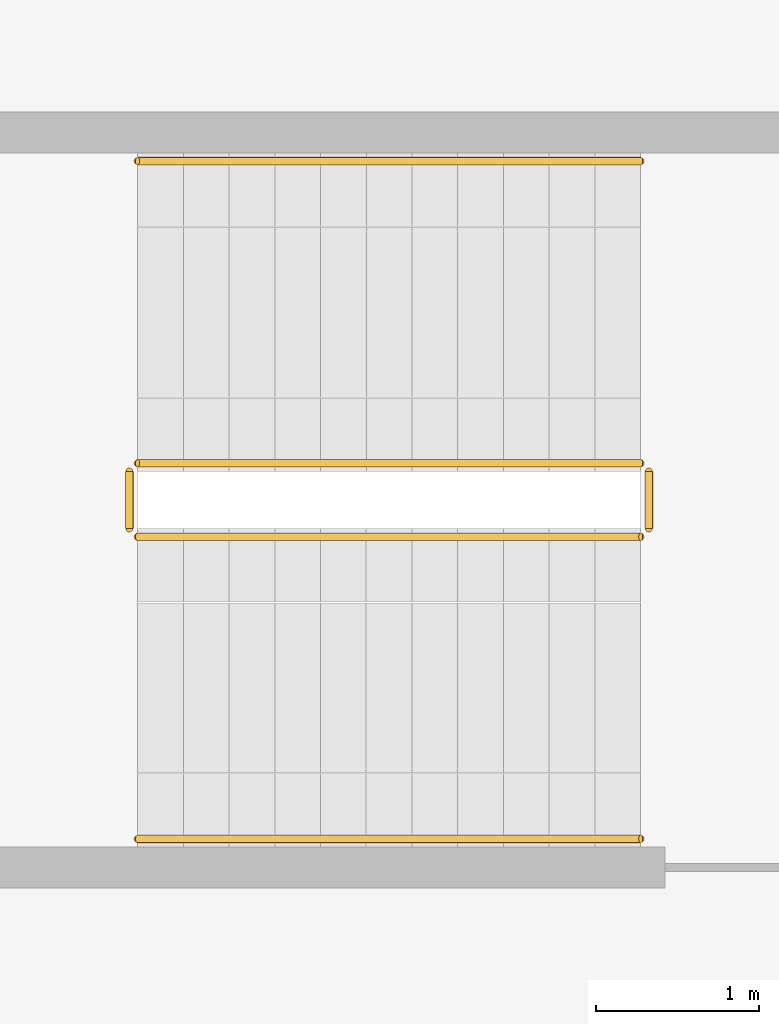
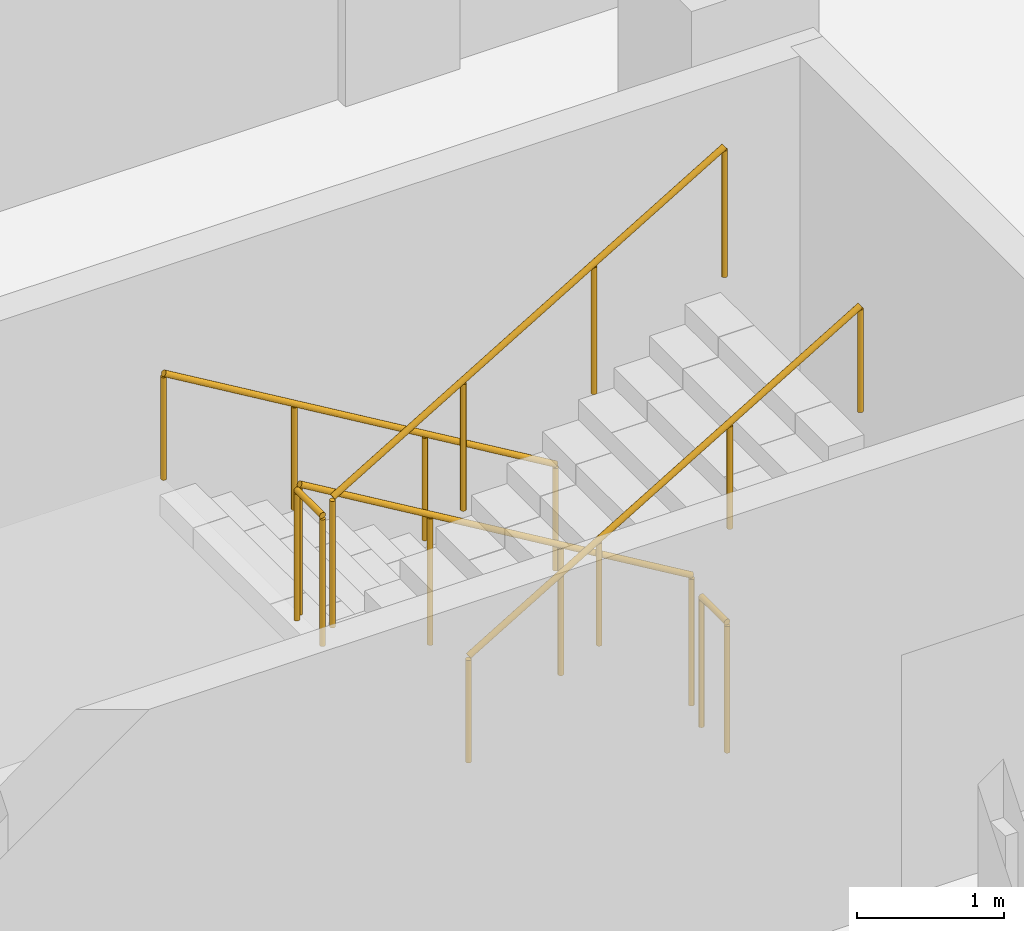
# One storey, part 15 of 15: 1 railing.
"""IFC4 building model written with IfcOpenShell, lengths in metres."""

from ifc_helpers import new_model, si_unit, direction, frame, origin, origin_2d, place, context, subcontext, project, spatial, circle, extrude, material, type_object, element, save


model = new_model("IFC4")

# Units and contexts
model_context = context("Model", 3, precision=1e-05, world=origin(), true_north=direction((0.0, 1.0)))
body_context = subcontext(model_context, "Body", "Model", "MODEL_VIEW")
ifc_project = project(units=[si_unit("LENGTHUNIT", "METRE"), si_unit("AREAUNIT", "SQUARE_METRE"), si_unit("VOLUMEUNIT", "CUBIC_METRE"), si_unit("PLANEANGLEUNIT", "RADIAN"), si_unit("MASSUNIT", "GRAM", prefix="KILO")], contexts=[model_context])

# Site, building, storey
site_placement = place(None, origin())
site = spatial("IfcSite", under=ifc_project, at=site_placement, CompositionType="ELEMENT")
building_placement = place(site_placement, origin())
building = spatial("IfcBuilding", under=site, at=building_placement, Name="Corbelhall Arena Tower", CompositionType="ELEMENT")
storey_placement = place(building_placement, frame((0.0, 0.0, 204.0)))
storey = spatial("IfcBuildingStorey", under=building, at=storey_placement, Name="L42", CompositionType="ELEMENT", Elevation=204.0)

# Railing
ifc_material = material(Name="Steel ASTM A500 Gr C", Category="steel")
railing_type = type_object("IfcRailingType", Name="IN-GD-1100", PredefinedType="GUARDRAIL", material=ifc_material)
railing_placement = place(storey_placement, frame((11.425048828125, 14.77490234375, 0.166748046875)))
element("IfcRailing", 1, at=railing_placement, inside=storey, type_object=railing_type, Name="L42 ST3 stair guards and handrails", PredefinedType="GUARDRAIL", context=body_context, shape_type="SweptSolid", body=[
    extrude(circle(Radius=0.02392578125, at=origin_2d()), frame((0.0, 0.0, 1.076171875), z_axis=(-0.859308565015, 0.0, 0.511457515432), x_axis=(0.0, -1.0, 0.0)), (0.0, 0.0, 1.0), 3.58447265625),
    extrude(circle(Radius=0.02392578125, at=origin_2d()), frame((-3.130126953125, -0.0498046875, 2.9091796875), z_axis=(0.0, -1.0, 0.0), x_axis=(1.0, 0.0, 0.0)), (0.0, 0.0, 1.0), 0.35009765625),
    extrude(circle(Radius=0.02392578125, at=origin_2d()), frame((-3.080078125, -0.449951171875, 3.076171875), z_axis=(0.859308565015, 0.0, 0.511457515432), x_axis=(0.0, 1.0, 0.0)), (0.0, 0.0, 1.0), 3.58447265625),
    extrude(circle(Radius=0.02392578125, at=origin_2d()), frame((0.050048828125, -0.0498046875, 0.9091796875), z_axis=(0.0, -1.0, 0.0), x_axis=(1.0, 0.0, 0.0)), (0.0, 0.0, 1.0), 0.35009765625),
    extrude(circle(Radius=0.02392578125, at=origin_2d()), frame((0.0, 1.85009765625, 0.8759765625), z_axis=(-0.859308565015, 0.0, 0.511457515432), x_axis=(0.0, -1.0, 0.0)), (0.0, 0.0, 1.0), 3.58447265625),
    extrude(circle(Radius=0.02392578125, at=origin_2d()), frame((-3.080078125, -2.2998046875, 2.8759765625), z_axis=(0.859308565015, 0.0, 0.511457515432), x_axis=(0.0, 1.0, 0.0)), (0.0, 0.0, 1.0), 3.58447265625),
    extrude(circle(Radius=0.02099609375, at=origin_2d()), origin(), (0.0, 0.0, 1.0), 1.052001953125),
    extrude(circle(Radius=0.02099609375, at=origin_2d()), frame((-1.026611328125, 0.0, 0.611083984375)), (0.0, 0.0, 1.0), 1.052001953125),
    extrude(circle(Radius=0.02099609375, at=origin_2d()), frame((-2.053466796875, 0.0, 1.22216796875)), (0.0, 0.0, 1.0), 1.052001953125),
    extrude(circle(Radius=0.02099609375, at=origin_2d()), frame((-3.080078125, 0.0, 1.833251953125)), (0.0, 0.0, 1.0), 1.052001953125),
    extrude(circle(Radius=0.02099609375, at=origin_2d()), frame((-3.130126953125, -0.0498046875, 1.833251953125)), (0.0, 0.0, 1.0), 1.052001953125),
    extrude(circle(Radius=0.02099609375, at=origin_2d()), frame((-3.130126953125, -0.39990234375, 1.833251953125)), (0.0, 0.0, 1.0), 1.052001953125),
    extrude(circle(Radius=0.02099609375, at=origin_2d()), frame((-3.080078125, -0.449951171875, 2.0)), (0.0, 0.0, 1.0), 1.052001953125),
    extrude(circle(Radius=0.02099609375, at=origin_2d()), frame((-2.053466796875, -0.449951171875, 2.611083984375)), (0.0, 0.0, 1.0), 1.052001953125),
    extrude(circle(Radius=0.02099609375, at=origin_2d()), frame((-1.026611328125, -0.449951171875, 3.22216796875)), (0.0, 0.0, 1.0), 1.052001953125),
    extrude(circle(Radius=0.02099609375, at=origin_2d()), frame((0.0, -0.449951171875, 3.833251953125)), (0.0, 0.0, 1.0), 1.052001953125),
    extrude(circle(Radius=0.02099609375, at=origin_2d()), frame((0.050048828125, -0.0498046875, -0.166748046875)), (0.0, 0.0, 1.0), 1.052001953125),
    extrude(circle(Radius=0.02099609375, at=origin_2d()), frame((0.050048828125, -0.39990234375, -0.166748046875)), (0.0, 0.0, 1.0), 1.052001953125),
    extrude(circle(Radius=0.02099609375, at=origin_2d()), frame((0.0, 1.85009765625, 0.0)), (0.0, 0.0, 1.0), 0.851806640625),
    extrude(circle(Radius=0.02099609375, at=origin_2d()), frame((-1.026611328125, 1.85009765625, 0.611083984375)), (0.0, 0.0, 1.0), 0.851806640625),
    extrude(circle(Radius=0.02099609375, at=origin_2d()), frame((-2.053466796875, 1.85009765625, 1.22216796875)), (0.0, 0.0, 1.0), 0.851806640625),
    extrude(circle(Radius=0.02099609375, at=origin_2d()), frame((-3.080078125, 1.85009765625, 1.833251953125)), (0.0, 0.0, 1.0), 0.851806640625),
    extrude(circle(Radius=0.02099609375, at=origin_2d()), frame((-3.080078125, -2.2998046875, 2.0)), (0.0, 0.0, 1.0), 0.851806640625),
    extrude(circle(Radius=0.02099609375, at=origin_2d()), frame((-2.053466796875, -2.2998046875, 2.611083984375)), (0.0, 0.0, 1.0), 0.851806640625),
    extrude(circle(Radius=0.02099609375, at=origin_2d()), frame((-1.026611328125, -2.2998046875, 3.22216796875)), (0.0, 0.0, 1.0), 0.851806640625),
    extrude(circle(Radius=0.02099609375, at=origin_2d()), frame((0.0, -2.2998046875, 3.833251953125)), (0.0, 0.0, 1.0), 0.851806640625),
])

save(model, "model.ifc")
